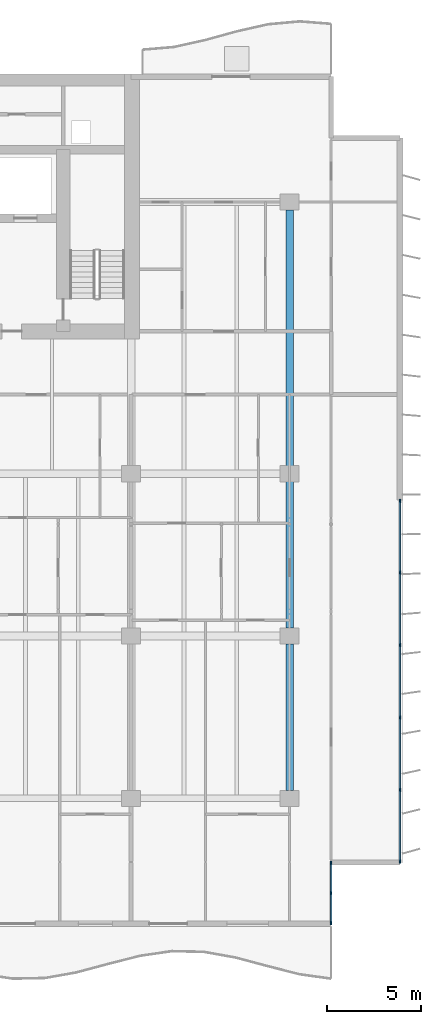
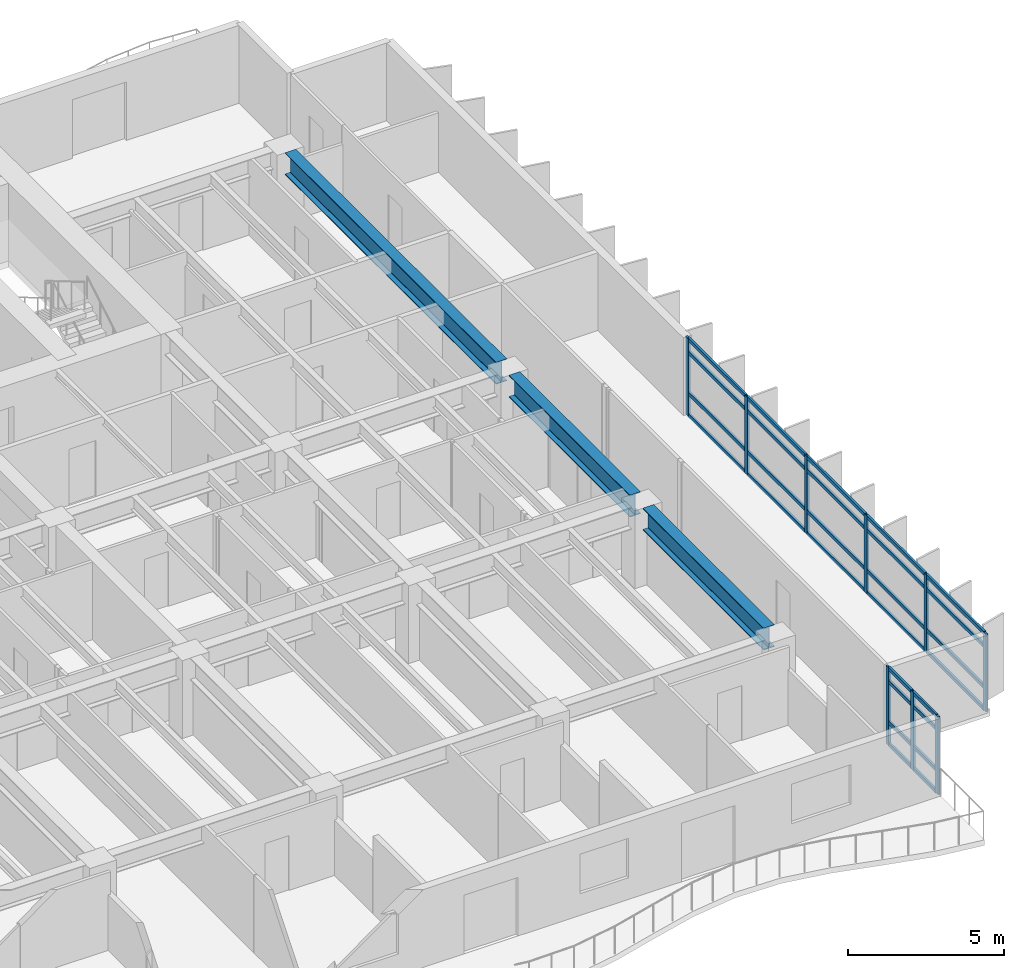
# One storey, part 4 of 20: 37 members, 3 beams, 2 elements without a shape of their own.
"""IFC4 building model written with IfcOpenShell, lengths in metres."""

from ifc_helpers import new_model, si_unit, direction, frame, origin, origin_2d, place, context, subcontext, project, spatial, rectangle, i_section, extrude, material, layer, layer_set, material_profile, profile_set, type_object, element, aggregate, save


model = new_model("IFC4")

# Units and contexts
model_context = context("Model", 3, precision=1e-05, world=origin(), true_north=direction((0.0, 1.0)))
body_context = subcontext(model_context, "Body", "Model", "MODEL_VIEW")
ifc_project = project(units=[si_unit("LENGTHUNIT", "METRE"), si_unit("AREAUNIT", "SQUARE_METRE"), si_unit("VOLUMEUNIT", "CUBIC_METRE"), si_unit("PLANEANGLEUNIT", "RADIAN"), si_unit("MASSUNIT", "GRAM", prefix="KILO")], contexts=[model_context])

# Site, building, storey
site_placement = place(None, origin())
site = spatial("IfcSite", under=ifc_project, at=site_placement, CompositionType="ELEMENT")
building_placement = place(site_placement, origin())
building = spatial("IfcBuilding", under=site, at=building_placement, Name="Caelmar Bay Residences", CompositionType="ELEMENT")
storey_placement = place(building_placement, frame((0.0, 0.0, 119.10009765625)))
storey = spatial("IfcBuildingStorey", under=building, at=storey_placement, Name="L32", CompositionType="ELEMENT", Elevation=119.10009765625)

# Beams
ifc_material_1 = material(Name="Steel ASTM A992 Grade 50", Category="steel")
ifc_material_profile_1 = material_profile(ifc_material_1, i_section(OverallWidth=0.40087890625, OverallDepth=0.861083984375, WebThickness=0.019775390625, FlangeThickness=0.032470703125, FilletRadius=0.017822265625, at=origin_2d()), Name="W33X221")
ifc_profile_set_1 = profile_set([ifc_material_profile_1], Name="Steel ASTM A992 Grade 50")
beam_type = type_object("IfcBeamType", Name="BM-GRD-W33X221", PredefinedType="BEAM", material=ifc_profile_set_1)
for number, where, z_axis, x_axis, name in (
    (1, (67.89990234375, 12.614990234375, 2.619384765625), (0.0, 1.0, 0.0), (-1.0, 0.0, 0.0), "L32 North-South Girder X=67.90 (12.2-20.8)"),
    (2, (67.89990234375, 21.215087890625, 2.619384765625), (0.0, 1.0, 0.0), (-1.0, 0.0, 0.0), "L32 North-South Girder X=67.90 (20.8-29.4)"),
):
    element("IfcBeam", number, at=place(storey_placement, frame(where, z_axis=z_axis, x_axis=x_axis)), inside=storey, type_object=beam_type, Name=name, PredefinedType="BEAM", context=body_context, shape_type="SweptSolid", body=[
        extrude(i_section(OverallWidth=0.40087890625, OverallDepth=0.861083984375, WebThickness=0.019775390625, FlangeThickness=0.032470703125, FilletRadius=0.017822265625, at=origin_2d()), origin(), (0.0, 0.0, 1.0), 7.77001953125),
    ])
beam_placement = place(storey_placement, frame((67.89990234375, 29.81494140625, 2.619384765625), z_axis=(0.0, 1.0, 0.0), x_axis=(-1.0, 0.0, 0.0)))
element("IfcBeam", 3, at=beam_placement, inside=storey, type_object=beam_type, Name="L32 North-South Girder X=67.90 (29.4-43.8)", PredefinedType="BEAM", context=body_context, shape_type="SweptSolid", body=[
    extrude(i_section(OverallWidth=0.40087890625, OverallDepth=0.861083984375, WebThickness=0.019775390625, FlangeThickness=0.032470703125, FilletRadius=0.017822265625, at=origin_2d()), origin(), (0.0, 0.0, 1.0), 13.570068359375),
])

# Curtain wall, members
ifc_material_2 = material(Name="Anodised bronze aluminium 6063-T6 and laminated glass", Category="aluminium")
ifc_layer_1 = layer(ifc_material_2, 0.179931640625)
ifc_layer_set_1 = layer_set([ifc_layer_1], Name="Anodised bronze aluminium 6063-T6 and laminated glass")
curtain_wall_type_1 = type_object("IfcCurtainWallType", Name="CW6-NTC", PredefinedType="NOTDEFINED", material=ifc_layer_set_1)
curtain_wall_1_placement = place(storey_placement, origin())
curtain_wall_1 = element("IfcCurtainWall", 4, at=curtain_wall_1_placement, inside=storey, type_object=curtain_wall_type_1, Name="CW6 curtain wall L32", PredefinedType="NOTDEFINED")
ifc_material_3 = material(Name="Anodised bronze aluminium 6063-T6", Category="aluminium")
ifc_material_profile_2 = material_profile(ifc_material_3, rectangle(XDim=0.080078125, YDim=0.179931640625, at=origin_2d()), Name="CWM-80X180")
ifc_profile_set_2 = profile_set([ifc_material_profile_2], Name="Anodised bronze aluminium 6063-T6")
member_type_1 = type_object("IfcMemberType", Name="CWM-180", PredefinedType="MULLION", material=ifc_profile_set_2)
member_1_placement = place(storey_placement, frame((70.10009765625, 5.590087890625, 0.0), z_axis=(0.0, 0.0, 1.0), x_axis=(-1.0, 0.0, 0.0)))
member_1 = element("IfcMember", 5, at=member_1_placement, type_object=member_type_1, Name="CW6 mullion 1", PredefinedType="MULLION", context=body_context, shape_type="SweptSolid", body=[
    extrude(rectangle(XDim=0.080078125, YDim=0.179931640625, at=origin_2d()), origin(), (0.0, 0.0, 1.0), 3.0498046875),
])
member_2_placement = place(storey_placement, frame((70.10009765625, 7.175048828125, 0.0), z_axis=(0.0, 0.0, 1.0), x_axis=(-1.0, 0.0, 0.0)))
member_2 = element("IfcMember", 6, at=member_2_placement, type_object=member_type_1, Name="CW6 mullion 2", PredefinedType="MULLION", context=body_context, shape_type="SweptSolid", body=[
    extrude(rectangle(XDim=0.080078125, YDim=0.179931640625, at=origin_2d()), origin(), (0.0, 0.0, 1.0), 3.0498046875),
])
member_3_placement = place(storey_placement, frame((70.10009765625, 8.760009765625, 0.0), z_axis=(0.0, 0.0, 1.0), x_axis=(-1.0, 0.0, 0.0)))
member_3 = element("IfcMember", 7, at=member_3_placement, type_object=member_type_1, Name="CW6 mullion 3", PredefinedType="MULLION", context=body_context, shape_type="SweptSolid", body=[
    extrude(rectangle(XDim=0.080078125, YDim=0.179931640625, at=origin_2d()), origin(), (0.0, 0.0, 1.0), 3.0498046875),
])

ifc_layer_2 = layer(ifc_material_2, 0.179931640625)
ifc_layer_set_2 = layer_set([ifc_layer_2], Name="Anodised bronze aluminium 6063-T6 and laminated glass")
curtain_wall_type_2 = type_object("IfcCurtainWallType", Name="CW3-Z2", PredefinedType="NOTDEFINED", material=ifc_layer_set_2)
curtain_wall_2_placement = place(storey_placement, origin())
curtain_wall_2 = element("IfcCurtainWall", 8, at=curtain_wall_2_placement, inside=storey, type_object=curtain_wall_type_2, Name="CW3 curtain wall L32", PredefinedType="NOTDEFINED")
member_4_placement = place(storey_placement, frame((73.75, 27.9599609375, 0.0), z_axis=(0.0, 0.0, 1.0), x_axis=(1.0, 0.0, 0.0)))
member_4 = element("IfcMember", 9, at=member_4_placement, type_object=member_type_1, Name="CW3 mullion 1", PredefinedType="MULLION", context=body_context, shape_type="SweptSolid", body=[
    extrude(rectangle(XDim=0.080078125, YDim=0.179931640625, at=origin_2d()), origin(), (0.0, 0.0, 1.0), 3.0498046875),
])
member_5_placement = place(storey_placement, frame((73.75, 24.159912109375, 0.0), z_axis=(0.0, 0.0, 1.0), x_axis=(1.0, 0.0, 0.0)))
member_5 = element("IfcMember", 10, at=member_5_placement, type_object=member_type_1, Name="CW3 mullion 2", PredefinedType="MULLION", context=body_context, shape_type="SweptSolid", body=[
    extrude(rectangle(XDim=0.080078125, YDim=0.179931640625, at=origin_2d()), origin(), (0.0, 0.0, 1.0), 3.0498046875),
])
member_6_placement = place(storey_placement, frame((73.75, 20.320068359375, 0.0), z_axis=(0.0, 0.0, 1.0), x_axis=(1.0, 0.0, 0.0)))
member_6 = element("IfcMember", 11, at=member_6_placement, type_object=member_type_1, Name="CW3 mullion 3", PredefinedType="MULLION", context=body_context, shape_type="SweptSolid", body=[
    extrude(rectangle(XDim=0.080078125, YDim=0.179931640625, at=origin_2d()), origin(), (0.0, 0.0, 1.0), 3.0498046875),
])
member_7_placement = place(storey_placement, frame((73.75, 16.47998046875, 0.0), z_axis=(0.0, 0.0, 1.0), x_axis=(1.0, 0.0, 0.0)))
member_7 = element("IfcMember", 12, at=member_7_placement, type_object=member_type_1, Name="CW3 mullion 4", PredefinedType="MULLION", context=body_context, shape_type="SweptSolid", body=[
    extrude(rectangle(XDim=0.080078125, YDim=0.179931640625, at=origin_2d()), origin(), (0.0, 0.0, 1.0), 3.0498046875),
])
member_8_placement = place(storey_placement, frame((73.75, 12.639892578125, 0.0), z_axis=(0.0, 0.0, 1.0), x_axis=(1.0, 0.0, 0.0)))
member_8 = element("IfcMember", 13, at=member_8_placement, type_object=member_type_1, Name="CW3 mullion 5", PredefinedType="MULLION", context=body_context, shape_type="SweptSolid", body=[
    extrude(rectangle(XDim=0.080078125, YDim=0.179931640625, at=origin_2d()), origin(), (0.0, 0.0, 1.0), 3.0498046875),
])
member_9_placement = place(storey_placement, frame((73.75, 8.840087890625, 0.0), z_axis=(0.0, 0.0, 1.0), x_axis=(1.0, 0.0, 0.0)))
member_9 = element("IfcMember", 14, at=member_9_placement, type_object=member_type_1, Name="CW3 mullion 6", PredefinedType="MULLION", context=body_context, shape_type="SweptSolid", body=[
    extrude(rectangle(XDim=0.080078125, YDim=0.179931640625, at=origin_2d()), origin(), (0.0, 0.0, 1.0), 3.0498046875),
])

# Member
ifc_material_profile_3 = material_profile(ifc_material_3, rectangle(XDim=0.080078125, YDim=0.139892578125, at=origin_2d()), Name="CWT-80X140")
ifc_profile_set_3 = profile_set([ifc_material_profile_3], Name="Anodised bronze aluminium 6063-T6")
member_type_2 = type_object("IfcMemberType", Name="CWT-140", PredefinedType="NOTDEFINED", material=ifc_profile_set_3)
member_10_placement = place(storey_placement, frame((70.10009765625, 5.6298828125, 0.039794921875), z_axis=(0.0, 1.0, 0.0), x_axis=(-1.0, 0.0, 0.0)))
member_10 = element("IfcMember", 15, at=member_10_placement, type_object=member_type_2, Name="CW6 transom 1.1", ObjectType="TRANSOM", PredefinedType="USERDEFINED", context=body_context, shape_type="SweptSolid", body=[
    extrude(rectangle(XDim=0.080078125, YDim=0.139892578125, at=origin_2d()), origin(), (0.0, 0.0, 1.0), 1.505126953125),
])

member_11_placement = place(storey_placement, frame((70.10009765625, 5.6298828125, 0.89990234375), z_axis=(0.0, 1.0, 0.0), x_axis=(-1.0, 0.0, 0.0)))
member_11 = element("IfcMember", 16, at=member_11_placement, type_object=member_type_2, Name="CW6 transom 1.2", ObjectType="TRANSOM", PredefinedType="USERDEFINED", context=body_context, shape_type="SweptSolid", body=[
    extrude(rectangle(XDim=0.080078125, YDim=0.139892578125, at=origin_2d()), origin(), (0.0, 0.0, 1.0), 1.505126953125),
])

member_12_placement = place(storey_placement, frame((70.10009765625, 5.6298828125, 2.5), z_axis=(0.0, 1.0, 0.0), x_axis=(-1.0, 0.0, 0.0)))
member_12 = element("IfcMember", 17, at=member_12_placement, type_object=member_type_2, Name="CW6 transom 1.3", ObjectType="TRANSOM", PredefinedType="USERDEFINED", context=body_context, shape_type="SweptSolid", body=[
    extrude(rectangle(XDim=0.080078125, YDim=0.139892578125, at=origin_2d()), origin(), (0.0, 0.0, 1.0), 1.505126953125),
])

member_13_placement = place(storey_placement, frame((70.10009765625, 5.6298828125, 3.010009765625), z_axis=(0.0, 1.0, 0.0), x_axis=(-1.0, 0.0, 0.0)))
member_13 = element("IfcMember", 18, at=member_13_placement, type_object=member_type_2, Name="CW6 transom 1.4", ObjectType="TRANSOM", PredefinedType="USERDEFINED", context=body_context, shape_type="SweptSolid", body=[
    extrude(rectangle(XDim=0.080078125, YDim=0.139892578125, at=origin_2d()), origin(), (0.0, 0.0, 1.0), 1.505126953125),
])

member_14_placement = place(storey_placement, frame((70.10009765625, 7.215087890625, 0.039794921875), z_axis=(0.0, 1.0, 0.0), x_axis=(-1.0, 0.0, 0.0)))
member_14 = element("IfcMember", 19, at=member_14_placement, type_object=member_type_2, Name="CW6 transom 2.1", ObjectType="TRANSOM", PredefinedType="USERDEFINED", context=body_context, shape_type="SweptSolid", body=[
    extrude(rectangle(XDim=0.080078125, YDim=0.139892578125, at=origin_2d()), origin(), (0.0, 0.0, 1.0), 1.5048828125),
])

member_15_placement = place(storey_placement, frame((70.10009765625, 7.215087890625, 0.89990234375), z_axis=(0.0, 1.0, 0.0), x_axis=(-1.0, 0.0, 0.0)))
member_15 = element("IfcMember", 20, at=member_15_placement, type_object=member_type_2, Name="CW6 transom 2.2", ObjectType="TRANSOM", PredefinedType="USERDEFINED", context=body_context, shape_type="SweptSolid", body=[
    extrude(rectangle(XDim=0.080078125, YDim=0.139892578125, at=origin_2d()), origin(), (0.0, 0.0, 1.0), 1.5048828125),
])

member_16_placement = place(storey_placement, frame((70.10009765625, 7.215087890625, 2.5), z_axis=(0.0, 1.0, 0.0), x_axis=(-1.0, 0.0, 0.0)))
member_16 = element("IfcMember", 21, at=member_16_placement, type_object=member_type_2, Name="CW6 transom 2.3", ObjectType="TRANSOM", PredefinedType="USERDEFINED", context=body_context, shape_type="SweptSolid", body=[
    extrude(rectangle(XDim=0.080078125, YDim=0.139892578125, at=origin_2d()), origin(), (0.0, 0.0, 1.0), 1.5048828125),
])

member_17_placement = place(storey_placement, frame((70.10009765625, 7.215087890625, 3.010009765625), z_axis=(0.0, 1.0, 0.0), x_axis=(-1.0, 0.0, 0.0)))
member_17 = element("IfcMember", 22, at=member_17_placement, type_object=member_type_2, Name="CW6 transom 2.4", ObjectType="TRANSOM", PredefinedType="USERDEFINED", context=body_context, shape_type="SweptSolid", body=[
    extrude(rectangle(XDim=0.080078125, YDim=0.139892578125, at=origin_2d()), origin(), (0.0, 0.0, 1.0), 1.5048828125),
])

aggregate(curtain_wall_1, [member_1, member_2, member_3, member_10, member_11, member_12, member_13, member_14, member_15, member_16, member_17])

member_18_placement = place(storey_placement, frame((73.75, 27.919921875, 0.039794921875), z_axis=(0.0, -1.0, 0.0), x_axis=(1.0, 0.0, 0.0)))
member_18 = element("IfcMember", 23, at=member_18_placement, type_object=member_type_2, Name="CW3 transom 1.1", ObjectType="TRANSOM", PredefinedType="USERDEFINED", context=body_context, shape_type="SweptSolid", body=[
    extrude(rectangle(XDim=0.080078125, YDim=0.139892578125, at=origin_2d()), origin(), (0.0, 0.0, 1.0), 3.719970703125),
])

member_19_placement = place(storey_placement, frame((73.75, 27.919921875, 0.89990234375), z_axis=(0.0, -1.0, 0.0), x_axis=(1.0, 0.0, 0.0)))
member_19 = element("IfcMember", 24, at=member_19_placement, type_object=member_type_2, Name="CW3 transom 1.2", ObjectType="TRANSOM", PredefinedType="USERDEFINED", context=body_context, shape_type="SweptSolid", body=[
    extrude(rectangle(XDim=0.080078125, YDim=0.139892578125, at=origin_2d()), origin(), (0.0, 0.0, 1.0), 3.719970703125),
])

member_20_placement = place(storey_placement, frame((73.75, 27.919921875, 2.5), z_axis=(0.0, -1.0, 0.0), x_axis=(1.0, 0.0, 0.0)))
member_20 = element("IfcMember", 25, at=member_20_placement, type_object=member_type_2, Name="CW3 transom 1.3", ObjectType="TRANSOM", PredefinedType="USERDEFINED", context=body_context, shape_type="SweptSolid", body=[
    extrude(rectangle(XDim=0.080078125, YDim=0.139892578125, at=origin_2d()), origin(), (0.0, 0.0, 1.0), 3.719970703125),
])

member_21_placement = place(storey_placement, frame((73.75, 27.919921875, 3.010009765625), z_axis=(0.0, -1.0, 0.0), x_axis=(1.0, 0.0, 0.0)))
member_21 = element("IfcMember", 26, at=member_21_placement, type_object=member_type_2, Name="CW3 transom 1.4", ObjectType="TRANSOM", PredefinedType="USERDEFINED", context=body_context, shape_type="SweptSolid", body=[
    extrude(rectangle(XDim=0.080078125, YDim=0.139892578125, at=origin_2d()), origin(), (0.0, 0.0, 1.0), 3.719970703125),
])

member_22_placement = place(storey_placement, frame((73.75, 24.1201171875, 0.039794921875), z_axis=(0.0, -1.0, 0.0), x_axis=(1.0, 0.0, 0.0)))
member_22 = element("IfcMember", 27, at=member_22_placement, type_object=member_type_2, Name="CW3 transom 2.1", ObjectType="TRANSOM", PredefinedType="USERDEFINED", context=body_context, shape_type="SweptSolid", body=[
    extrude(rectangle(XDim=0.080078125, YDim=0.139892578125, at=origin_2d()), origin(), (0.0, 0.0, 1.0), 3.760009765625),
])

member_23_placement = place(storey_placement, frame((73.75, 24.1201171875, 0.89990234375), z_axis=(0.0, -1.0, 0.0), x_axis=(1.0, 0.0, 0.0)))
member_23 = element("IfcMember", 28, at=member_23_placement, type_object=member_type_2, Name="CW3 transom 2.2", ObjectType="TRANSOM", PredefinedType="USERDEFINED", context=body_context, shape_type="SweptSolid", body=[
    extrude(rectangle(XDim=0.080078125, YDim=0.139892578125, at=origin_2d()), origin(), (0.0, 0.0, 1.0), 3.760009765625),
])

member_24_placement = place(storey_placement, frame((73.75, 24.1201171875, 2.5), z_axis=(0.0, -1.0, 0.0), x_axis=(1.0, 0.0, 0.0)))
member_24 = element("IfcMember", 29, at=member_24_placement, type_object=member_type_2, Name="CW3 transom 2.3", ObjectType="TRANSOM", PredefinedType="USERDEFINED", context=body_context, shape_type="SweptSolid", body=[
    extrude(rectangle(XDim=0.080078125, YDim=0.139892578125, at=origin_2d()), origin(), (0.0, 0.0, 1.0), 3.760009765625),
])

member_25_placement = place(storey_placement, frame((73.75, 24.1201171875, 3.010009765625), z_axis=(0.0, -1.0, 0.0), x_axis=(1.0, 0.0, 0.0)))
member_25 = element("IfcMember", 30, at=member_25_placement, type_object=member_type_2, Name="CW3 transom 2.4", ObjectType="TRANSOM", PredefinedType="USERDEFINED", context=body_context, shape_type="SweptSolid", body=[
    extrude(rectangle(XDim=0.080078125, YDim=0.139892578125, at=origin_2d()), origin(), (0.0, 0.0, 1.0), 3.760009765625),
])

member_26_placement = place(storey_placement, frame((73.75, 20.280029296875, 0.039794921875), z_axis=(0.0, -1.0, 0.0), x_axis=(1.0, 0.0, 0.0)))
member_26 = element("IfcMember", 31, at=member_26_placement, type_object=member_type_2, Name="CW3 transom 3.1", ObjectType="TRANSOM", PredefinedType="USERDEFINED", context=body_context, shape_type="SweptSolid", body=[
    extrude(rectangle(XDim=0.080078125, YDim=0.139892578125, at=origin_2d()), origin(), (0.0, 0.0, 1.0), 3.760009765625),
])

member_27_placement = place(storey_placement, frame((73.75, 20.280029296875, 0.89990234375), z_axis=(0.0, -1.0, 0.0), x_axis=(1.0, 0.0, 0.0)))
member_27 = element("IfcMember", 32, at=member_27_placement, type_object=member_type_2, Name="CW3 transom 3.2", ObjectType="TRANSOM", PredefinedType="USERDEFINED", context=body_context, shape_type="SweptSolid", body=[
    extrude(rectangle(XDim=0.080078125, YDim=0.139892578125, at=origin_2d()), origin(), (0.0, 0.0, 1.0), 3.760009765625),
])

member_28_placement = place(storey_placement, frame((73.75, 20.280029296875, 2.5), z_axis=(0.0, -1.0, 0.0), x_axis=(1.0, 0.0, 0.0)))
member_28 = element("IfcMember", 33, at=member_28_placement, type_object=member_type_2, Name="CW3 transom 3.3", ObjectType="TRANSOM", PredefinedType="USERDEFINED", context=body_context, shape_type="SweptSolid", body=[
    extrude(rectangle(XDim=0.080078125, YDim=0.139892578125, at=origin_2d()), origin(), (0.0, 0.0, 1.0), 3.760009765625),
])

member_29_placement = place(storey_placement, frame((73.75, 20.280029296875, 3.010009765625), z_axis=(0.0, -1.0, 0.0), x_axis=(1.0, 0.0, 0.0)))
member_29 = element("IfcMember", 34, at=member_29_placement, type_object=member_type_2, Name="CW3 transom 3.4", ObjectType="TRANSOM", PredefinedType="USERDEFINED", context=body_context, shape_type="SweptSolid", body=[
    extrude(rectangle(XDim=0.080078125, YDim=0.139892578125, at=origin_2d()), origin(), (0.0, 0.0, 1.0), 3.760009765625),
])

member_30_placement = place(storey_placement, frame((73.75, 16.43994140625, 0.039794921875), z_axis=(0.0, -1.0, 0.0), x_axis=(1.0, 0.0, 0.0)))
member_30 = element("IfcMember", 35, at=member_30_placement, type_object=member_type_2, Name="CW3 transom 4.1", ObjectType="TRANSOM", PredefinedType="USERDEFINED", context=body_context, shape_type="SweptSolid", body=[
    extrude(rectangle(XDim=0.080078125, YDim=0.139892578125, at=origin_2d()), origin(), (0.0, 0.0, 1.0), 3.760009765625),
])

member_31_placement = place(storey_placement, frame((73.75, 16.43994140625, 0.89990234375), z_axis=(0.0, -1.0, 0.0), x_axis=(1.0, 0.0, 0.0)))
member_31 = element("IfcMember", 36, at=member_31_placement, type_object=member_type_2, Name="CW3 transom 4.2", ObjectType="TRANSOM", PredefinedType="USERDEFINED", context=body_context, shape_type="SweptSolid", body=[
    extrude(rectangle(XDim=0.080078125, YDim=0.139892578125, at=origin_2d()), origin(), (0.0, 0.0, 1.0), 3.760009765625),
])

member_32_placement = place(storey_placement, frame((73.75, 16.43994140625, 2.5), z_axis=(0.0, -1.0, 0.0), x_axis=(1.0, 0.0, 0.0)))
member_32 = element("IfcMember", 37, at=member_32_placement, type_object=member_type_2, Name="CW3 transom 4.3", ObjectType="TRANSOM", PredefinedType="USERDEFINED", context=body_context, shape_type="SweptSolid", body=[
    extrude(rectangle(XDim=0.080078125, YDim=0.139892578125, at=origin_2d()), origin(), (0.0, 0.0, 1.0), 3.760009765625),
])

member_33_placement = place(storey_placement, frame((73.75, 16.43994140625, 3.010009765625), z_axis=(0.0, -1.0, 0.0), x_axis=(1.0, 0.0, 0.0)))
member_33 = element("IfcMember", 38, at=member_33_placement, type_object=member_type_2, Name="CW3 transom 4.4", ObjectType="TRANSOM", PredefinedType="USERDEFINED", context=body_context, shape_type="SweptSolid", body=[
    extrude(rectangle(XDim=0.080078125, YDim=0.139892578125, at=origin_2d()), origin(), (0.0, 0.0, 1.0), 3.760009765625),
])

member_34_placement = place(storey_placement, frame((73.75, 12.60009765625, 0.039794921875), z_axis=(0.0, -1.0, 0.0), x_axis=(1.0, 0.0, 0.0)))
member_34 = element("IfcMember", 39, at=member_34_placement, type_object=member_type_2, Name="CW3 transom 5.1", ObjectType="TRANSOM", PredefinedType="USERDEFINED", context=body_context, shape_type="SweptSolid", body=[
    extrude(rectangle(XDim=0.080078125, YDim=0.139892578125, at=origin_2d()), origin(), (0.0, 0.0, 1.0), 3.72021484375),
])

member_35_placement = place(storey_placement, frame((73.75, 12.60009765625, 0.89990234375), z_axis=(0.0, -1.0, 0.0), x_axis=(1.0, 0.0, 0.0)))
member_35 = element("IfcMember", 40, at=member_35_placement, type_object=member_type_2, Name="CW3 transom 5.2", ObjectType="TRANSOM", PredefinedType="USERDEFINED", context=body_context, shape_type="SweptSolid", body=[
    extrude(rectangle(XDim=0.080078125, YDim=0.139892578125, at=origin_2d()), origin(), (0.0, 0.0, 1.0), 3.72021484375),
])

member_36_placement = place(storey_placement, frame((73.75, 12.60009765625, 2.5), z_axis=(0.0, -1.0, 0.0), x_axis=(1.0, 0.0, 0.0)))
member_36 = element("IfcMember", 41, at=member_36_placement, type_object=member_type_2, Name="CW3 transom 5.3", ObjectType="TRANSOM", PredefinedType="USERDEFINED", context=body_context, shape_type="SweptSolid", body=[
    extrude(rectangle(XDim=0.080078125, YDim=0.139892578125, at=origin_2d()), origin(), (0.0, 0.0, 1.0), 3.72021484375),
])

member_37_placement = place(storey_placement, frame((73.75, 12.60009765625, 3.010009765625), z_axis=(0.0, -1.0, 0.0), x_axis=(1.0, 0.0, 0.0)))
member_37 = element("IfcMember", 42, at=member_37_placement, type_object=member_type_2, Name="CW3 transom 5.4", ObjectType="TRANSOM", PredefinedType="USERDEFINED", context=body_context, shape_type="SweptSolid", body=[
    extrude(rectangle(XDim=0.080078125, YDim=0.139892578125, at=origin_2d()), origin(), (0.0, 0.0, 1.0), 3.72021484375),
])

aggregate(curtain_wall_2, [member_4, member_5, member_6, member_7, member_8, member_9, member_18, member_19, member_20, member_21, member_22, member_23, member_24, member_25, member_26, member_27, member_28, member_29, member_30, member_31, member_32, member_33, member_34, member_35, member_36, member_37])

save(model, "model.ifc")
